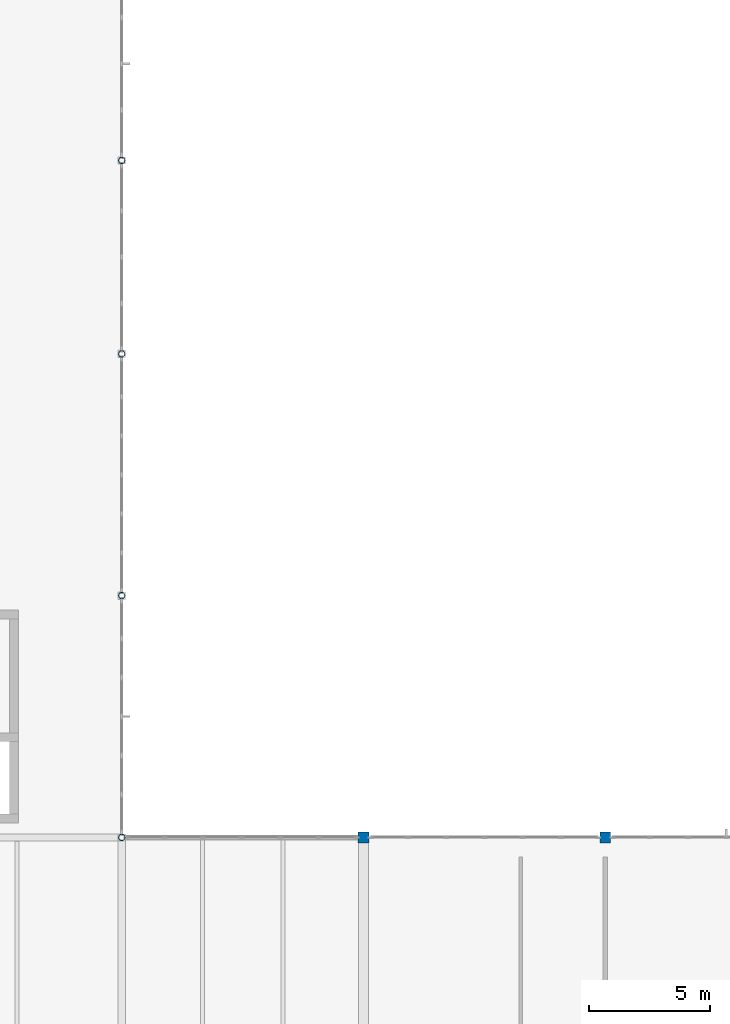
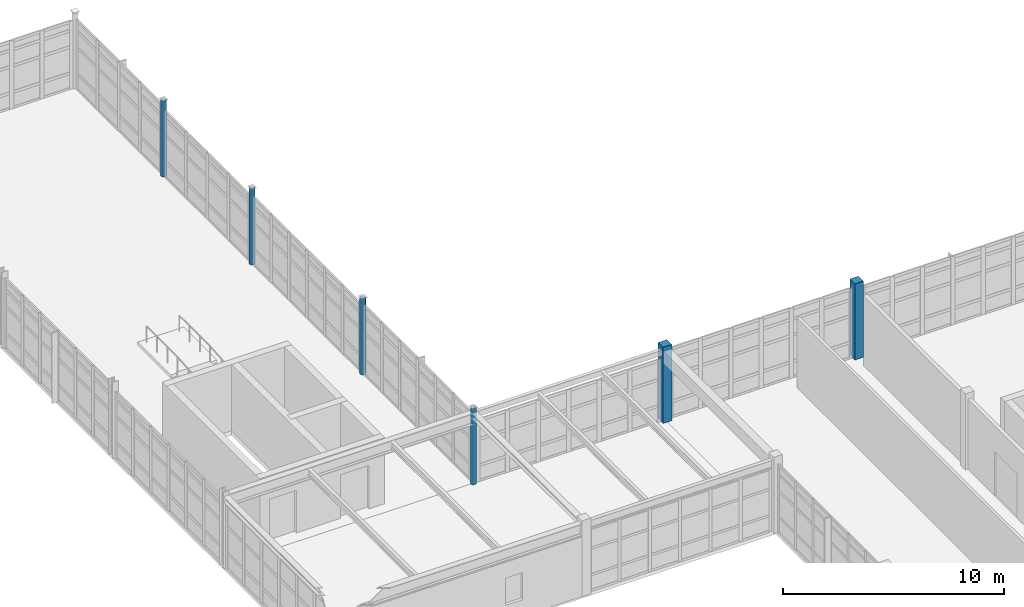
# One storey, part 19 of 122: 6 columns.
"""IFC4 building model written with IfcOpenShell, lengths in metres."""

from ifc_helpers import new_model, si_unit, direction, frame, origin, origin_2d, place, context, subcontext, project, spatial, rectangle, hollow_circle, extrude, material, material_profile, profile_set, type_object, element, save


model = new_model("IFC4")

# Units and contexts
model_context = context("Model", 3, precision=1e-05, world=origin(), true_north=direction((0.0, 1.0)))
body_context = subcontext(model_context, "Body", "Model", "MODEL_VIEW")
ifc_project = project(units=[si_unit("LENGTHUNIT", "METRE"), si_unit("AREAUNIT", "SQUARE_METRE"), si_unit("VOLUMEUNIT", "CUBIC_METRE"), si_unit("PLANEANGLEUNIT", "RADIAN"), si_unit("MASSUNIT", "GRAM", prefix="KILO"), si_unit("THERMODYNAMICTEMPERATUREUNIT", "KELVIN"), si_unit("POWERUNIT", "WATT")], contexts=[model_context])

# Site, building, storey
site_placement = place(None, origin())
site = spatial("IfcSite", under=ifc_project, at=site_placement, CompositionType="ELEMENT")
building_placement = place(site_placement, origin())
building = spatial("IfcBuilding", under=site, at=building_placement, Name="Korenveer Ferry Terminal", CompositionType="ELEMENT")
storey_placement = place(building_placement, frame((0.0, 0.0, 10.199951171875)))
storey = spatial("IfcBuildingStorey", under=building, at=storey_placement, Name="L02", CompositionType="ELEMENT", Elevation=10.199951171875)

# Columns
ifc_material_1 = material(Name="Steel S355", Category="steel")
ifc_material_profile_1 = material_profile(ifc_material_1, hollow_circle(Radius=0.136474609375, WallThickness=0.012451171875, at=origin_2d()), Name="CHS 273x12.5")
ifc_profile_set_1 = profile_set([ifc_material_profile_1], Name="Steel S355")
column_type_1 = type_object("IfcColumnType", Name="STR-COL-CHS273", PredefinedType="COLUMN", material=ifc_profile_set_1)
for number, where, z_axis, x_axis, name in (
    (1, (136.0, 80.0, 0.0), (0.0, 0.0, 1.0), (1.0, 0.0, 0.0), "Column COL-L02-X136-Y80"),
    (2, (136.0, 90.0, 0.0), (0.0, 0.0, 1.0), (1.0, 0.0, 0.0), "Column COL-L02-X136-Y90"),
    (3, (136.0, 100.0, 0.0), (0.0, 0.0, 1.0), (1.0, 0.0, 0.0), "Column COL-L02-X136-Y100"),
    (4, (136.0, 108.0, 0.0), (0.0, 0.0, 1.0), (1.0, 0.0, 0.0), "Column COL-L02-X136-Y108"),
):
    element("IfcColumn", number, at=place(storey_placement, frame(where, z_axis=z_axis, x_axis=x_axis)), inside=storey, type_object=column_type_1, Name=name, PredefinedType="COLUMN", context=body_context, shape_type="SweptSolid", body=[
        extrude(hollow_circle(Radius=0.136474609375, WallThickness=0.012451171875, at=origin_2d()), origin(), (0.0, 0.0, 1.0), 4.199951171875),
    ])
ifc_material_2 = material(Name="Concrete C45/55", Category="concrete")
ifc_material_profile_2 = material_profile(ifc_material_2, rectangle(XDim=0.449951171875, YDim=0.449951171875, at=origin_2d()), Name="RC 450x450")
ifc_profile_set_2 = profile_set([ifc_material_profile_2], Name="Concrete C45/55")
column_type_2 = type_object("IfcColumnType", Name="STR-COL-RC450", PredefinedType="COLUMN", material=ifc_profile_set_2)
for number, where, z_axis, x_axis, name in (
    (5, (146.0, 80.0, 0.0), (0.0, 0.0, 1.0), (1.0, 0.0, 0.0), "Column COL-L02-X146-Y80"),
    (6, (156.0, 80.0, 0.0), (0.0, 0.0, 1.0), (1.0, 0.0, 0.0), "Column COL-L02-X156-Y80"),
):
    element("IfcColumn", number, at=place(storey_placement, frame(where, z_axis=z_axis, x_axis=x_axis)), inside=storey, type_object=column_type_2, Name=name, PredefinedType="COLUMN", context=body_context, shape_type="SweptSolid", body=[
        extrude(rectangle(XDim=0.449951171875, YDim=0.449951171875, at=origin_2d()), origin(), (0.0, 0.0, 1.0), 4.199951171875),
    ])

save(model, "model.ifc")
